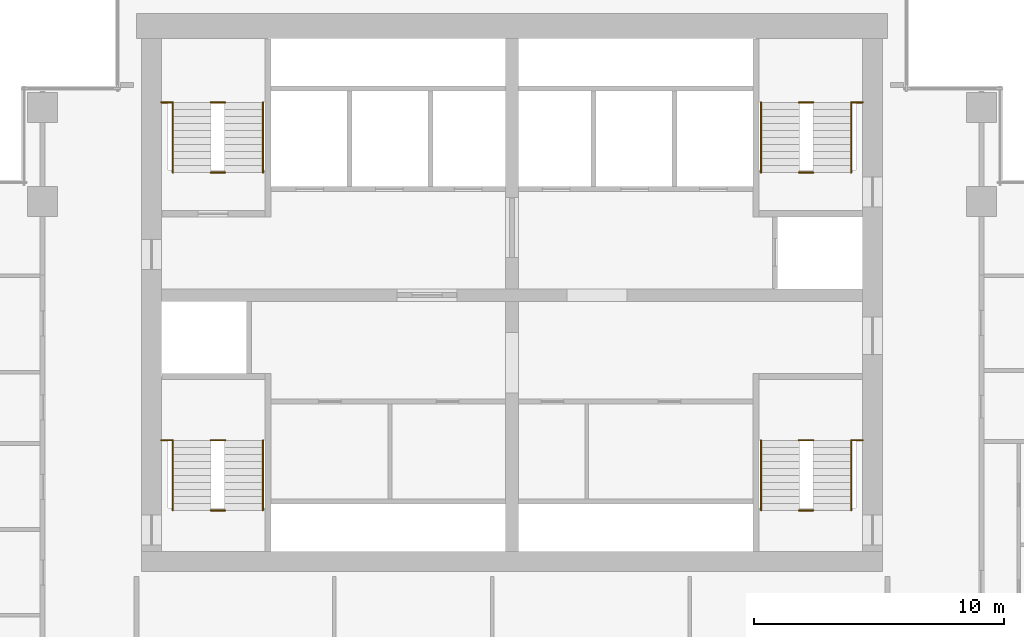
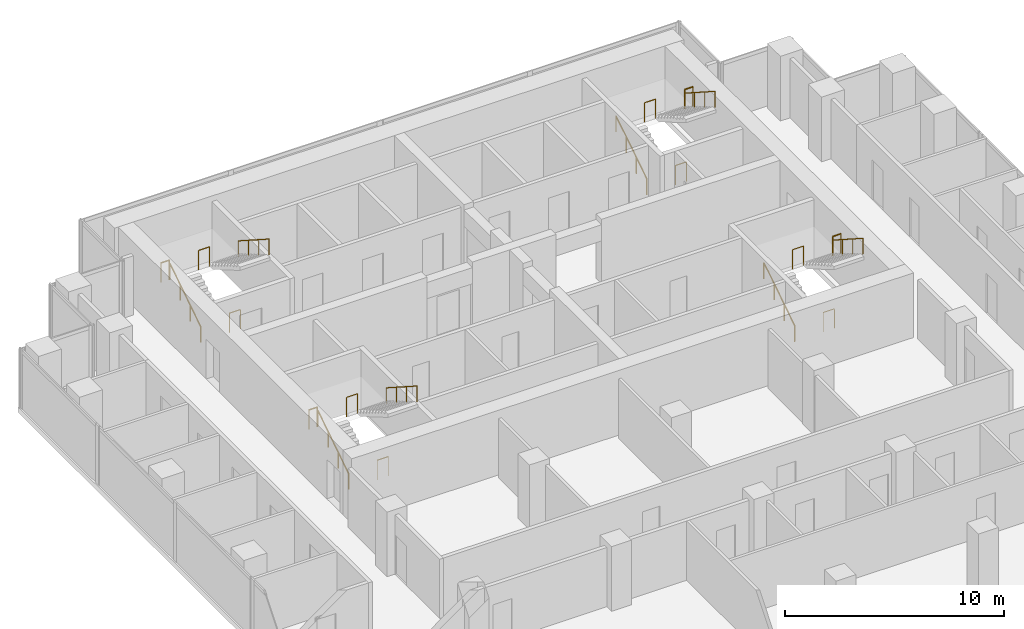
# One storey, part 10 of 10: 20 railings.
"""IFC4 building model written with IfcOpenShell, lengths in metres."""

from ifc_helpers import new_model, si_unit, direction, frame, origin, origin_2d, place, context, subcontext, project, spatial, circle, extrude, material, type_object, element, save


model = new_model("IFC4")

# Units and contexts
model_context = context("Model", 3, precision=1e-05, world=origin(), true_north=direction((0.0, 1.0)))
body_context = subcontext(model_context, "Body", "Model", "MODEL_VIEW")
ifc_project = project(units=[si_unit("LENGTHUNIT", "METRE"), si_unit("AREAUNIT", "SQUARE_METRE"), si_unit("VOLUMEUNIT", "CUBIC_METRE"), si_unit("PLANEANGLEUNIT", "RADIAN"), si_unit("MASSUNIT", "GRAM", prefix="KILO")], contexts=[model_context])

# Site, building, storey
site_placement = place(None, origin())
site = spatial("IfcSite", under=ifc_project, at=site_placement, CompositionType="ELEMENT")
building_placement = place(site_placement, origin())
building = spatial("IfcBuilding", under=site, at=building_placement, Name="Pilkhan Gate Tower", CompositionType="ELEMENT")
storey_placement = place(building_placement, frame((0.0, 0.0, 165.699951171875)))
storey = spatial("IfcBuildingStorey", under=building, at=storey_placement, Name="L42", CompositionType="ELEMENT", Elevation=165.699951171875)

# Railings
ifc_material_1 = material(Name="Black powder-coated steel tube", Category="steel")
railing_type_1 = type_object("IfcRailingType", Name="Stair handrail HR1", PredefinedType="HANDRAIL", material=ifc_material_1)
railing_1_placement = place(storey_placement, frame((84.949951171875, 73.89990234375, 0.0)))
element("IfcRailing", 1, at=railing_1_placement, inside=storey, type_object=railing_type_1, Name="Stair ST1 handrail L42", PredefinedType="HANDRAIL", context=body_context, shape_type="SweptSolid", body=[
    extrude(circle(Radius=0.02392578125, at=origin_2d()), frame((0.0, 0.0, 0.8759765625), z_axis=(0.0, 0.841176092368, 0.540761298198), x_axis=(-1.0, 0.0, 0.0)), (0.0, 0.0, 1.0), 3.32861328125),
    extrude(circle(Radius=0.02099609375, at=origin_2d()), origin(), (0.0, 0.0, 1.0), 0.851806640625),
    extrude(circle(Radius=0.02099609375, at=origin_2d()), frame((0.0, 0.933349609375, 0.60009765625)), (0.0, 0.0, 1.0), 0.851806640625),
    extrude(circle(Radius=0.02099609375, at=origin_2d()), frame((0.0, 1.86669921875, 1.199951171875)), (0.0, 0.0, 1.0), 0.851806640625),
    extrude(circle(Radius=0.02099609375, at=origin_2d()), frame((0.0, 2.800048828125, 1.800048828125)), (0.0, 0.0, 1.0), 0.851806640625),
])
railing_2_placement = place(storey_placement, frame((88.550048828125, 76.699951171875, 1.800048828125)))
element("IfcRailing", 2, at=railing_2_placement, inside=storey, type_object=railing_type_1, Name="Stair ST1 handrail L42", PredefinedType="HANDRAIL", context=body_context, shape_type="SweptSolid", body=[
    extrude(circle(Radius=0.02392578125, at=origin_2d()), frame((0.0, 0.0, 0.8759765625), z_axis=(0.0, -0.841176092368, 0.540761298198), x_axis=(1.0, 0.0, 0.0)), (0.0, 0.0, 1.0), 3.32861328125),
    extrude(circle(Radius=0.02099609375, at=origin_2d()), origin(), (0.0, 0.0, 1.0), 0.851806640625),
    extrude(circle(Radius=0.02099609375, at=origin_2d()), frame((0.0, -0.933349609375, 0.60009765625)), (0.0, 0.0, 1.0), 0.851806640625),
    extrude(circle(Radius=0.02099609375, at=origin_2d()), frame((0.0, -1.86669921875, 1.199951171875)), (0.0, 0.0, 1.0), 0.851806640625),
    extrude(circle(Radius=0.02099609375, at=origin_2d()), frame((0.0, -2.800048828125, 1.800048828125)), (0.0, 0.0, 1.0), 0.851806640625),
])
railing_3_placement = place(storey_placement, frame((61.449951171875, 73.89990234375, 0.0)))
element("IfcRailing", 3, at=railing_3_placement, inside=storey, type_object=railing_type_1, Name="Stair ST2 handrail L42", PredefinedType="HANDRAIL", context=body_context, shape_type="SweptSolid", body=[
    extrude(circle(Radius=0.02392578125, at=origin_2d()), frame((0.0, 0.0, 0.8759765625), z_axis=(0.0, 0.841176092368, 0.540761298198), x_axis=(-1.0, 0.0, 0.0)), (0.0, 0.0, 1.0), 3.32861328125),
    extrude(circle(Radius=0.02099609375, at=origin_2d()), origin(), (0.0, 0.0, 1.0), 0.851806640625),
    extrude(circle(Radius=0.02099609375, at=origin_2d()), frame((0.0, 0.933349609375, 0.60009765625)), (0.0, 0.0, 1.0), 0.851806640625),
    extrude(circle(Radius=0.02099609375, at=origin_2d()), frame((0.0, 1.86669921875, 1.199951171875)), (0.0, 0.0, 1.0), 0.851806640625),
    extrude(circle(Radius=0.02099609375, at=origin_2d()), frame((0.0, 2.800048828125, 1.800048828125)), (0.0, 0.0, 1.0), 0.851806640625),
])
railing_4_placement = place(storey_placement, frame((65.050048828125, 76.699951171875, 1.800048828125)))
element("IfcRailing", 4, at=railing_4_placement, inside=storey, type_object=railing_type_1, Name="Stair ST2 handrail L42", PredefinedType="HANDRAIL", context=body_context, shape_type="SweptSolid", body=[
    extrude(circle(Radius=0.02392578125, at=origin_2d()), frame((0.0, 0.0, 0.8759765625), z_axis=(0.0, -0.841176092368, 0.540761298198), x_axis=(1.0, 0.0, 0.0)), (0.0, 0.0, 1.0), 3.32861328125),
    extrude(circle(Radius=0.02099609375, at=origin_2d()), origin(), (0.0, 0.0, 1.0), 0.851806640625),
    extrude(circle(Radius=0.02099609375, at=origin_2d()), frame((0.0, -0.933349609375, 0.60009765625)), (0.0, 0.0, 1.0), 0.851806640625),
    extrude(circle(Radius=0.02099609375, at=origin_2d()), frame((0.0, -1.86669921875, 1.199951171875)), (0.0, 0.0, 1.0), 0.851806640625),
    extrude(circle(Radius=0.02099609375, at=origin_2d()), frame((0.0, -2.800048828125, 1.800048828125)), (0.0, 0.0, 1.0), 0.851806640625),
])
railing_5_placement = place(storey_placement, frame((61.449951171875, 87.39990234375, 0.0)))
element("IfcRailing", 5, at=railing_5_placement, inside=storey, type_object=railing_type_1, Name="Stair ST3 handrail L42", PredefinedType="HANDRAIL", context=body_context, shape_type="SweptSolid", body=[
    extrude(circle(Radius=0.02392578125, at=origin_2d()), frame((0.0, 0.0, 0.8759765625), z_axis=(0.0, 0.841176092368, 0.540761298198), x_axis=(-1.0, 0.0, 0.0)), (0.0, 0.0, 1.0), 3.32861328125),
    extrude(circle(Radius=0.02099609375, at=origin_2d()), origin(), (0.0, 0.0, 1.0), 0.851806640625),
    extrude(circle(Radius=0.02099609375, at=origin_2d()), frame((0.0, 0.933349609375, 0.60009765625)), (0.0, 0.0, 1.0), 0.851806640625),
    extrude(circle(Radius=0.02099609375, at=origin_2d()), frame((0.0, 1.86669921875, 1.199951171875)), (0.0, 0.0, 1.0), 0.851806640625),
    extrude(circle(Radius=0.02099609375, at=origin_2d()), frame((0.0, 2.800048828125, 1.800048828125)), (0.0, 0.0, 1.0), 0.851806640625),
])
railing_6_placement = place(storey_placement, frame((65.050048828125, 90.199951171875, 1.800048828125)))
element("IfcRailing", 6, at=railing_6_placement, inside=storey, type_object=railing_type_1, Name="Stair ST3 handrail L42", PredefinedType="HANDRAIL", context=body_context, shape_type="SweptSolid", body=[
    extrude(circle(Radius=0.02392578125, at=origin_2d()), frame((0.0, 0.0, 0.8759765625), z_axis=(0.0, -0.841176092368, 0.540761298198), x_axis=(1.0, 0.0, 0.0)), (0.0, 0.0, 1.0), 3.32861328125),
    extrude(circle(Radius=0.02099609375, at=origin_2d()), origin(), (0.0, 0.0, 1.0), 0.851806640625),
    extrude(circle(Radius=0.02099609375, at=origin_2d()), frame((0.0, -0.933349609375, 0.60009765625)), (0.0, 0.0, 1.0), 0.851806640625),
    extrude(circle(Radius=0.02099609375, at=origin_2d()), frame((0.0, -1.86669921875, 1.199951171875)), (0.0, 0.0, 1.0), 0.851806640625),
    extrude(circle(Radius=0.02099609375, at=origin_2d()), frame((0.0, -2.800048828125, 1.800048828125)), (0.0, 0.0, 1.0), 0.851806640625),
])
railing_7_placement = place(storey_placement, frame((84.949951171875, 87.39990234375, 0.0)))
element("IfcRailing", 7, at=railing_7_placement, inside=storey, type_object=railing_type_1, Name="Stair ST4 handrail L42", PredefinedType="HANDRAIL", context=body_context, shape_type="SweptSolid", body=[
    extrude(circle(Radius=0.02392578125, at=origin_2d()), frame((0.0, 0.0, 0.8759765625), z_axis=(0.0, 0.841176092368, 0.540761298198), x_axis=(-1.0, 0.0, 0.0)), (0.0, 0.0, 1.0), 3.32861328125),
    extrude(circle(Radius=0.02099609375, at=origin_2d()), origin(), (0.0, 0.0, 1.0), 0.851806640625),
    extrude(circle(Radius=0.02099609375, at=origin_2d()), frame((0.0, 0.933349609375, 0.60009765625)), (0.0, 0.0, 1.0), 0.851806640625),
    extrude(circle(Radius=0.02099609375, at=origin_2d()), frame((0.0, 1.86669921875, 1.199951171875)), (0.0, 0.0, 1.0), 0.851806640625),
    extrude(circle(Radius=0.02099609375, at=origin_2d()), frame((0.0, 2.800048828125, 1.800048828125)), (0.0, 0.0, 1.0), 0.851806640625),
])
railing_8_placement = place(storey_placement, frame((88.550048828125, 90.199951171875, 1.800048828125)))
element("IfcRailing", 8, at=railing_8_placement, inside=storey, type_object=railing_type_1, Name="Stair ST4 handrail L42", PredefinedType="HANDRAIL", context=body_context, shape_type="SweptSolid", body=[
    extrude(circle(Radius=0.02392578125, at=origin_2d()), frame((0.0, 0.0, 0.8759765625), z_axis=(0.0, -0.841176092368, 0.540761298198), x_axis=(1.0, 0.0, 0.0)), (0.0, 0.0, 1.0), 3.32861328125),
    extrude(circle(Radius=0.02099609375, at=origin_2d()), origin(), (0.0, 0.0, 1.0), 0.851806640625),
    extrude(circle(Radius=0.02099609375, at=origin_2d()), frame((0.0, -0.933349609375, 0.60009765625)), (0.0, 0.0, 1.0), 0.851806640625),
    extrude(circle(Radius=0.02099609375, at=origin_2d()), frame((0.0, -1.86669921875, 1.199951171875)), (0.0, 0.0, 1.0), 0.851806640625),
    extrude(circle(Radius=0.02099609375, at=origin_2d()), frame((0.0, -2.800048828125, 1.800048828125)), (0.0, 0.0, 1.0), 0.851806640625),
])
ifc_material_2 = material(Name="Black powder-coated steel balusters", Category="steel")
railing_type_2 = type_object("IfcRailingType", Name="Stair well guard G3", PredefinedType="GUARDRAIL", material=ifc_material_2)
railing_9_placement = place(storey_placement, frame((88.580078125, 76.699951171875, 1.800048828125)))
element("IfcRailing", 9, at=railing_9_placement, inside=storey, type_object=railing_type_2, Name="Stair ST1 well guard L42", PredefinedType="GUARDRAIL", context=body_context, shape_type="SweptSolid", body=[
    extrude(circle(Radius=0.02392578125, at=origin_2d()), frame((0.0, 0.0, 1.076171875), z_axis=(1.0, 0.0, 0.0), x_axis=(0.0, 1.0, 0.0)), (0.0, 0.0, 1.0), 0.43994140625),
    extrude(circle(Radius=0.02099609375, at=origin_2d()), origin(), (0.0, 0.0, 1.0), 1.052001953125),
    extrude(circle(Radius=0.02099609375, at=origin_2d()), frame((0.43994140625, 0.0, 0.0)), (0.0, 0.0, 1.0), 1.052001953125),
])
for number, where, name in (
    (10, (86.4599609375, 73.89990234375, 0.0), "Stair ST1 well guard L42"),
    (11, (86.4599609375, 76.699951171875, 1.800048828125), "Stair ST1 well guard L42"),
):
    element("IfcRailing", number, at=place(storey_placement, frame(where)), inside=storey, type_object=railing_type_2, Name=name, PredefinedType="GUARDRAIL", context=body_context, shape_type="SweptSolid", body=[
        extrude(circle(Radius=0.02392578125, at=origin_2d()), frame((0.0, 0.0, 1.076171875), z_axis=(1.0, 0.0, 0.0), x_axis=(0.0, 1.0, 0.0)), (0.0, 0.0, 1.0), 0.580078125),
        extrude(circle(Radius=0.02099609375, at=origin_2d()), origin(), (0.0, 0.0, 1.0), 1.052001953125),
        extrude(circle(Radius=0.02099609375, at=origin_2d()), frame((0.580078125, 0.0, 0.0)), (0.0, 0.0, 1.0), 1.052001953125),
    ])
railing_10_placement = place(storey_placement, frame((60.97998046875, 76.699951171875, 1.800048828125)))
element("IfcRailing", 12, at=railing_10_placement, inside=storey, type_object=railing_type_2, Name="Stair ST2 well guard L42", PredefinedType="GUARDRAIL", context=body_context, shape_type="SweptSolid", body=[
    extrude(circle(Radius=0.02392578125, at=origin_2d()), frame((0.0, 0.0, 1.076171875), z_axis=(1.0, 0.0, 0.0), x_axis=(0.0, 1.0, 0.0)), (0.0, 0.0, 1.0), 0.43994140625),
    extrude(circle(Radius=0.02099609375, at=origin_2d()), origin(), (0.0, 0.0, 1.0), 1.052001953125),
    extrude(circle(Radius=0.02099609375, at=origin_2d()), frame((0.43994140625, 0.0, 0.0)), (0.0, 0.0, 1.0), 1.052001953125),
])
for number, where, name in (
    (13, (62.9599609375, 73.89990234375, 0.0), "Stair ST2 well guard L42"),
    (14, (62.9599609375, 76.699951171875, 1.800048828125), "Stair ST2 well guard L42"),
):
    element("IfcRailing", number, at=place(storey_placement, frame(where)), inside=storey, type_object=railing_type_2, Name=name, PredefinedType="GUARDRAIL", context=body_context, shape_type="SweptSolid", body=[
        extrude(circle(Radius=0.02392578125, at=origin_2d()), frame((0.0, 0.0, 1.076171875), z_axis=(1.0, 0.0, 0.0), x_axis=(0.0, 1.0, 0.0)), (0.0, 0.0, 1.0), 0.580078125),
        extrude(circle(Radius=0.02099609375, at=origin_2d()), origin(), (0.0, 0.0, 1.0), 1.052001953125),
        extrude(circle(Radius=0.02099609375, at=origin_2d()), frame((0.580078125, 0.0, 0.0)), (0.0, 0.0, 1.0), 1.052001953125),
    ])
railing_11_placement = place(storey_placement, frame((60.97998046875, 90.199951171875, 1.800048828125)))
element("IfcRailing", 15, at=railing_11_placement, inside=storey, type_object=railing_type_2, Name="Stair ST3 well guard L42", PredefinedType="GUARDRAIL", context=body_context, shape_type="SweptSolid", body=[
    extrude(circle(Radius=0.02392578125, at=origin_2d()), frame((0.0, 0.0, 1.076171875), z_axis=(1.0, 0.0, 0.0), x_axis=(0.0, 1.0, 0.0)), (0.0, 0.0, 1.0), 0.43994140625),
    extrude(circle(Radius=0.02099609375, at=origin_2d()), origin(), (0.0, 0.0, 1.0), 1.052001953125),
    extrude(circle(Radius=0.02099609375, at=origin_2d()), frame((0.43994140625, 0.0, 0.0)), (0.0, 0.0, 1.0), 1.052001953125),
])
for number, where, name in (
    (16, (62.9599609375, 87.39990234375, 0.0), "Stair ST3 well guard L42"),
    (17, (62.9599609375, 90.199951171875, 1.800048828125), "Stair ST3 well guard L42"),
):
    element("IfcRailing", number, at=place(storey_placement, frame(where)), inside=storey, type_object=railing_type_2, Name=name, PredefinedType="GUARDRAIL", context=body_context, shape_type="SweptSolid", body=[
        extrude(circle(Radius=0.02392578125, at=origin_2d()), frame((0.0, 0.0, 1.076171875), z_axis=(1.0, 0.0, 0.0), x_axis=(0.0, 1.0, 0.0)), (0.0, 0.0, 1.0), 0.580078125),
        extrude(circle(Radius=0.02099609375, at=origin_2d()), origin(), (0.0, 0.0, 1.0), 1.052001953125),
        extrude(circle(Radius=0.02099609375, at=origin_2d()), frame((0.580078125, 0.0, 0.0)), (0.0, 0.0, 1.0), 1.052001953125),
    ])
railing_12_placement = place(storey_placement, frame((88.580078125, 90.199951171875, 1.800048828125)))
element("IfcRailing", 18, at=railing_12_placement, inside=storey, type_object=railing_type_2, Name="Stair ST4 well guard L42", PredefinedType="GUARDRAIL", context=body_context, shape_type="SweptSolid", body=[
    extrude(circle(Radius=0.02392578125, at=origin_2d()), frame((0.0, 0.0, 1.076171875), z_axis=(1.0, 0.0, 0.0), x_axis=(0.0, 1.0, 0.0)), (0.0, 0.0, 1.0), 0.43994140625),
    extrude(circle(Radius=0.02099609375, at=origin_2d()), origin(), (0.0, 0.0, 1.0), 1.052001953125),
    extrude(circle(Radius=0.02099609375, at=origin_2d()), frame((0.43994140625, 0.0, 0.0)), (0.0, 0.0, 1.0), 1.052001953125),
])
for number, where, name in (
    (19, (86.4599609375, 87.39990234375, 0.0), "Stair ST4 well guard L42"),
    (20, (86.4599609375, 90.199951171875, 1.800048828125), "Stair ST4 well guard L42"),
):
    element("IfcRailing", number, at=place(storey_placement, frame(where)), inside=storey, type_object=railing_type_2, Name=name, PredefinedType="GUARDRAIL", context=body_context, shape_type="SweptSolid", body=[
        extrude(circle(Radius=0.02392578125, at=origin_2d()), frame((0.0, 0.0, 1.076171875), z_axis=(1.0, 0.0, 0.0), x_axis=(0.0, 1.0, 0.0)), (0.0, 0.0, 1.0), 0.580078125),
        extrude(circle(Radius=0.02099609375, at=origin_2d()), origin(), (0.0, 0.0, 1.0), 1.052001953125),
        extrude(circle(Radius=0.02099609375, at=origin_2d()), frame((0.580078125, 0.0, 0.0)), (0.0, 0.0, 1.0), 1.052001953125),
    ])

save(model, "model.ifc")
